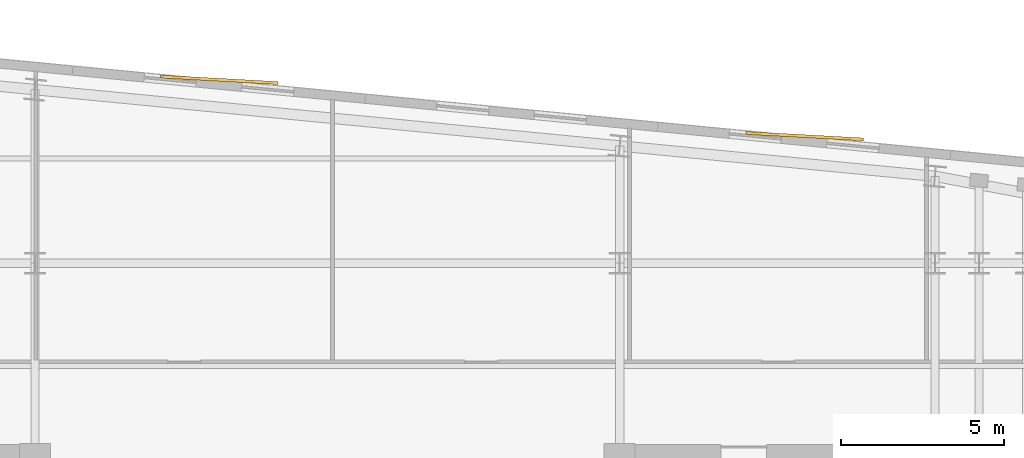
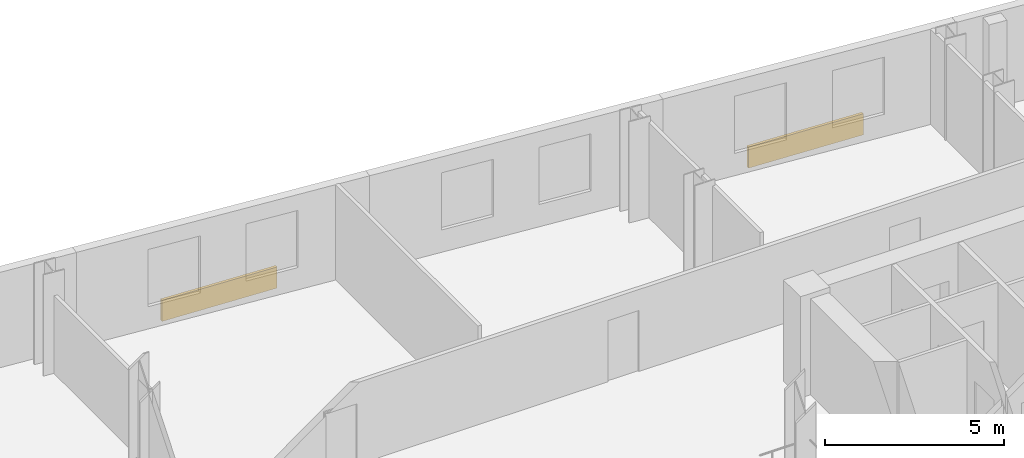
# One storey, part 10 of 10: 2 coverings.
"""IFC4 building model written with IfcOpenShell, lengths in metres."""

from ifc_helpers import new_model, si_unit, direction, frame, origin, origin_2d, place, context, subcontext, project, spatial, rectangle, extrude, material, layer, layer_set, type_object, element, save


model = new_model("IFC4")

# Units and contexts
model_context = context("Model", 3, precision=1e-05, world=origin(), true_north=direction((0.0, 1.0)))
body_context = subcontext(model_context, "Body", "Model", "MODEL_VIEW")
ifc_project = project(units=[si_unit("LENGTHUNIT", "METRE"), si_unit("AREAUNIT", "SQUARE_METRE"), si_unit("VOLUMEUNIT", "CUBIC_METRE"), si_unit("PLANEANGLEUNIT", "RADIAN"), si_unit("MASSUNIT", "GRAM", prefix="KILO")], contexts=[model_context])

# Site, building, storey
site_placement = place(None, origin())
site = spatial("IfcSite", under=ifc_project, at=site_placement, CompositionType="ELEMENT")
building_placement = place(site_placement, origin())
building = spatial("IfcBuilding", under=site, at=building_placement, Name="Velakula Bourse", CompositionType="ELEMENT")
storey_placement = place(building_placement, frame((0.0, 0.0, 188.0)))
storey = spatial("IfcBuildingStorey", under=building, at=storey_placement, Name="L51", CompositionType="ELEMENT", Elevation=188.0)

# Coverings
ifc_material = material(Name="Buff kilned clay facing brick masonry", Category="masonry")
ifc_layer = layer(ifc_material, 0.074951171875, Name="Buff kilned clay facing brick masonry", Category="masonry")
ifc_layer_set = layer_set([ifc_layer], Name="Buff kilned clay facing brick masonry")
covering_type = type_object("IfcCoveringType", Name="COV-BRK-SPN-75", PredefinedType="CLADDING", material=ifc_layer_set)
for number, where, z_axis, x_axis, name in (
    (1, (-3.304931640625, 20.213623046875, 0.0), (0.0, 0.0, 1.0), (0.998489097451, -0.054950179912, 0.0), "L51 Folded Brick Facade Cladding Panel N-B2"),
    (2, (14.6123046875, 18.48828125, 0.0), (0.0, 0.0, 1.0), (0.998489097451, -0.054950179912, 0.0), "L51 Folded Brick Facade Cladding Panel N-B4"),
):
    element("IfcCovering", number, at=place(storey_placement, frame(where, z_axis=z_axis, x_axis=x_axis)), inside=storey, type_object=covering_type, Name=name, PredefinedType="CLADDING", context=body_context, shape_type="SweptSolid", body=[
        extrude(rectangle(XDim=3.60009765625, YDim=0.090087890625, at=origin_2d()), origin(), (0.0, 0.0, 1.0), 0.719970703125),
    ])

save(model, "model.ifc")
